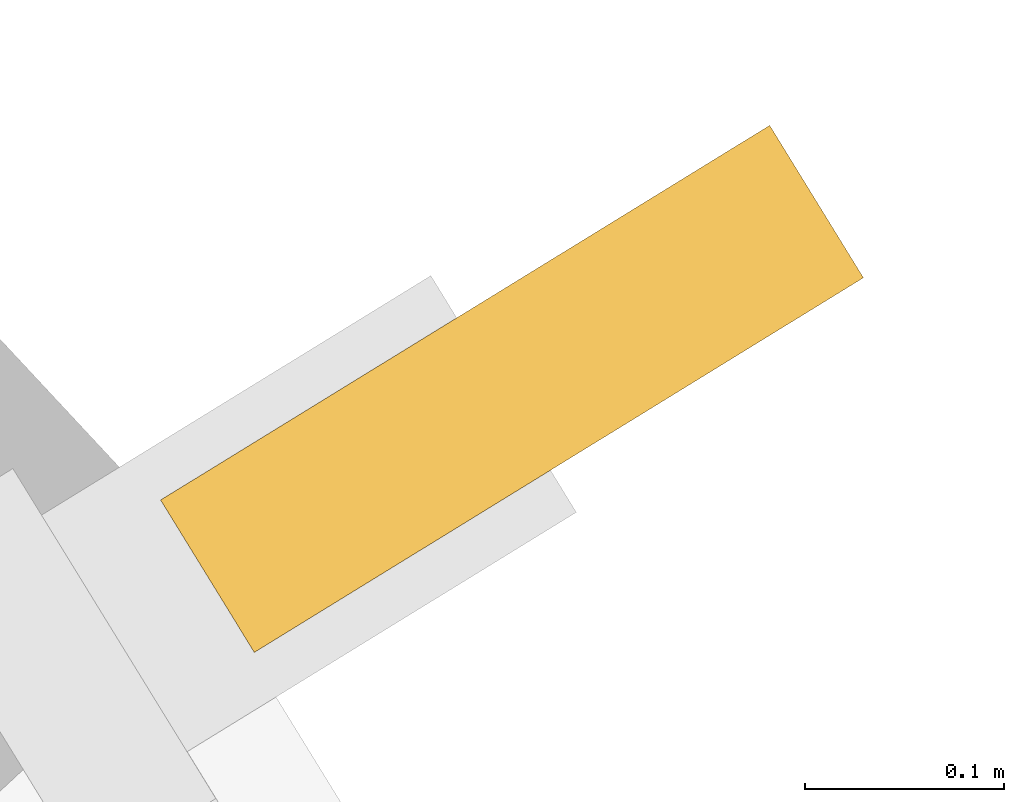
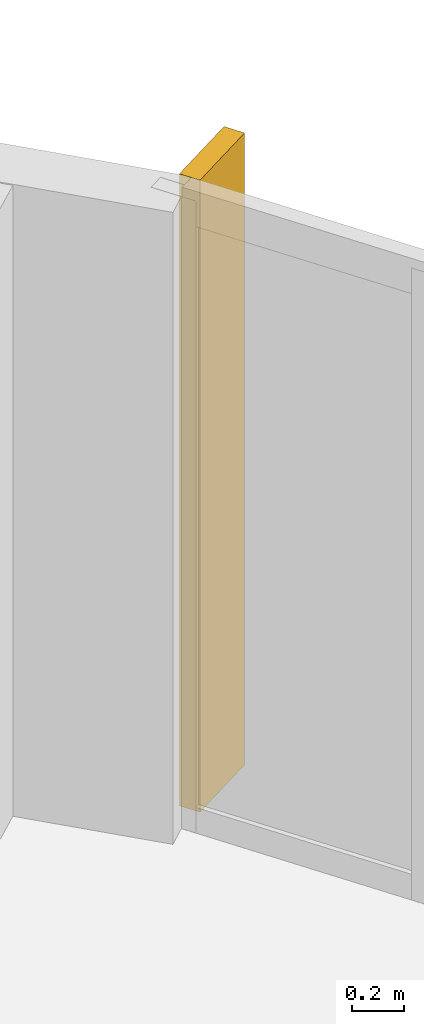
# One storey, part 10 of 10: 1 shading device.
"""IFC4 building model written with IfcOpenShell, lengths in metres."""

from ifc_helpers import new_model, si_unit, direction, frame, origin, origin_2d, place, context, subcontext, project, spatial, rectangle, extrude, material, layer, layer_set, type_object, element, save


model = new_model("IFC4")

# Units and contexts
model_context = context("Model", 3, precision=1e-05, world=origin(), true_north=direction((0.0, 1.0)))
body_context = subcontext(model_context, "Body", "Model", "MODEL_VIEW")
ifc_project = project(units=[si_unit("LENGTHUNIT", "METRE"), si_unit("AREAUNIT", "SQUARE_METRE"), si_unit("VOLUMEUNIT", "CUBIC_METRE"), si_unit("PLANEANGLEUNIT", "RADIAN"), si_unit("MASSUNIT", "GRAM", prefix="KILO")], contexts=[model_context])

# Site, building, storey
site_placement = place(None, origin())
site = spatial("IfcSite", under=ifc_project, at=site_placement, CompositionType="ELEMENT")
building_placement = place(site_placement, origin())
building = spatial("IfcBuilding", under=site, at=building_placement, Name="Veldorim Arch Residences", CompositionType="ELEMENT")
storey_placement = place(building_placement, frame((0.0, 0.0, 195.0400390625)))
storey = spatial("IfcBuildingStorey", under=building, at=storey_placement, Name="L58", CompositionType="ELEMENT", Elevation=195.0400390625)

# Shading device
ifc_material = material(Name="Terracotta Ceramic", Category="masonry")
ifc_layer = layer(ifc_material, 0.090087890625, Name="Vertical Extruded Terracotta Baguette Sun-Shading Fin")
ifc_layer_set = layer_set([ifc_layer], Name="Terracotta Ceramic")
shading_device_type = type_object("IfcShadingDeviceType", Name="Vertical Extruded Terracotta Baguette Sun-Shading Fin", PredefinedType="USERDEFINED", material=ifc_layer_set)
shading_device_placement = place(storey_placement, frame((43.866943359375, 33.875732421875, 0.0), z_axis=(0.0, 0.0, 1.0), x_axis=(0.523837243597, -0.851818373963, 0.0)))
element("IfcShadingDevice", 1, at=shading_device_placement, inside=storey, type_object=shading_device_type, Name="L58 vertical terracotta sun-shading fin 35", ObjectType="FIN", PredefinedType="USERDEFINED", context=body_context, shape_type="SweptSolid", body=[
    extrude(rectangle(XDim=0.090087890625, YDim=0.360107421875, at=origin_2d()), origin(), (0.0, 0.0, 1.0), 2.9599609375),
])

save(model, "model.ifc")
